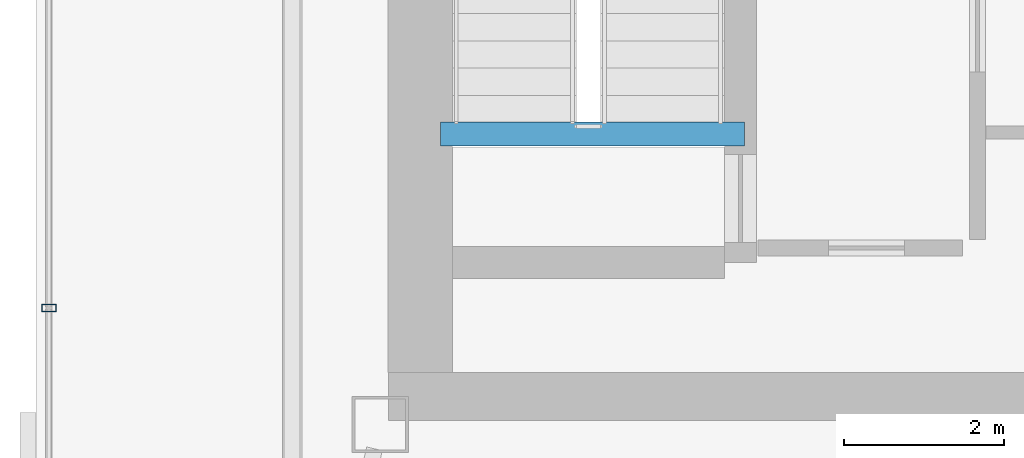
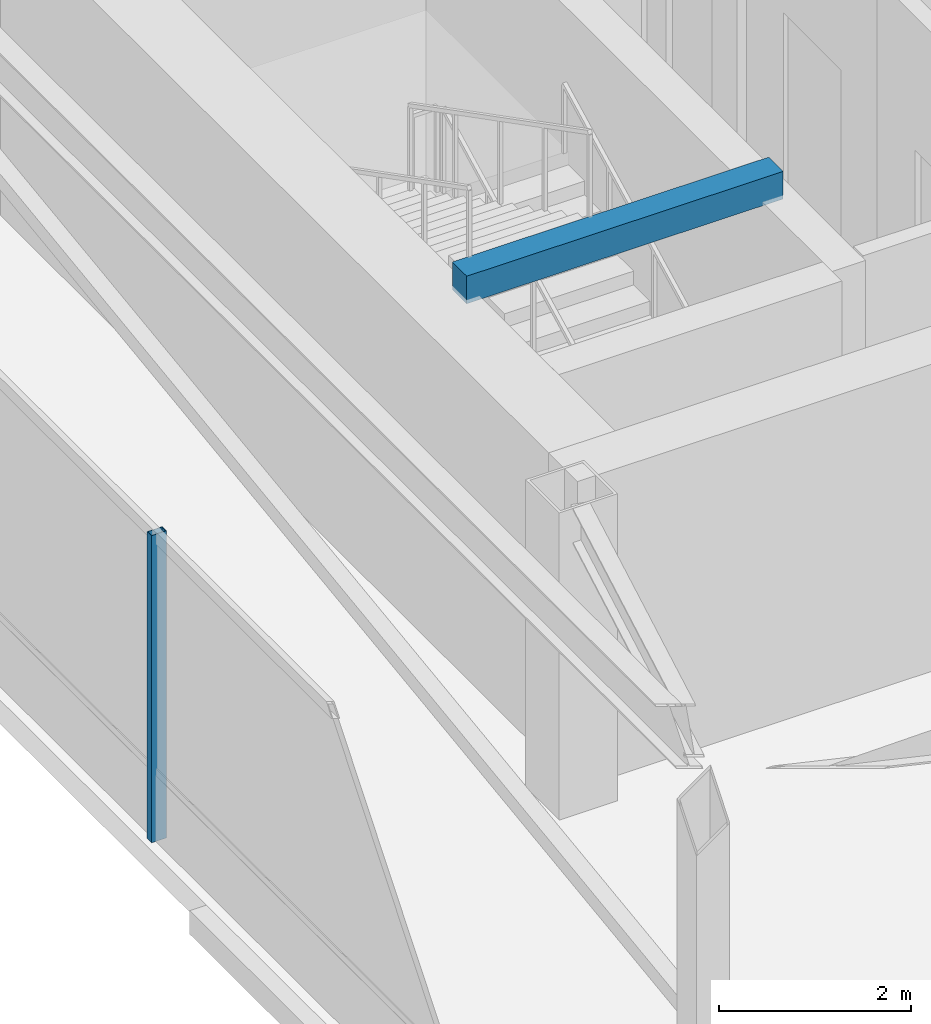
# One storey, part 3 of 21: 1 beam, 1 member, 1 element without a shape of its own.
"""IFC4 building model written with IfcOpenShell, lengths in metres."""

from ifc_helpers import new_model, si_unit, direction, frame, origin, origin_2d, place, context, subcontext, project, spatial, rectangle, hollow_rectangle, extrude, material, layer, layer_set, material_profile, profile_set, type_object, element, aggregate, save


model = new_model("IFC4")

# Units and contexts
model_context = context("Model", 3, precision=1e-05, world=origin(), true_north=direction((0.0, 1.0)))
body_context = subcontext(model_context, "Body", "Model", "MODEL_VIEW")
ifc_project = project(units=[si_unit("LENGTHUNIT", "METRE"), si_unit("AREAUNIT", "SQUARE_METRE"), si_unit("VOLUMEUNIT", "CUBIC_METRE"), si_unit("PLANEANGLEUNIT", "RADIAN"), si_unit("MASSUNIT", "GRAM", prefix="KILO")], contexts=[model_context])

# Site, building, storey
site_placement = place(None, origin())
site = spatial("IfcSite", under=ifc_project, at=site_placement, CompositionType="ELEMENT")
building_placement = place(site_placement, origin())
building = spatial("IfcBuilding", under=site, at=building_placement, Name="Tavrogorsk Clinical Tower", CompositionType="ELEMENT")
storey_placement = place(building_placement, frame((0.0, 0.0, 348.60009765625)))
storey = spatial("IfcBuildingStorey", under=building, at=storey_placement, Name="L81", CompositionType="ELEMENT", Elevation=348.60009765625)

# Curtain wall, member
ifc_material_1 = material(Name="Anodised aluminium and triple IGU glazing", Category="aluminium")
ifc_layer = layer(ifc_material_1, 0.179931640625)
ifc_layer_set = layer_set([ifc_layer], Name="Anodised aluminium and triple IGU glazing")
curtain_wall_type = type_object("IfcCurtainWallType", Name="CW5_SkyLobby", PredefinedType="NOTDEFINED", material=ifc_layer_set)
curtain_wall_placement = place(storey_placement, origin())
curtain_wall = element("IfcCurtainWall", 1, at=curtain_wall_placement, inside=storey, type_object=curtain_wall_type, Name="L81 Curtain Wall CW-L81-DRUM-2", PredefinedType="NOTDEFINED")
ifc_material_2 = material(Name="Anodised aluminium alloy AW-6060", Category="aluminium")
ifc_material_profile_1 = material_profile(ifc_material_2, hollow_rectangle(XDim=0.090087890625, YDim=0.179931640625, WallThickness=0.00634765625, at=origin_2d()), Name="RHS-180x90x6.3")
ifc_profile_set_1 = profile_set([ifc_material_profile_1], Name="Anodised aluminium alloy AW-6060")
member_type = type_object("IfcMemberType", Name="CwMullion_180x90", PredefinedType="MULLION", material=ifc_profile_set_1)
member_placement = place(storey_placement, frame((-26.239990234375, -4.891357421875, 0.0), z_axis=(0.0, 0.0, 1.0), x_axis=(0.0, 1.0, 0.0)))
member = element("IfcMember", 2, at=member_placement, type_object=member_type, Name="CW-L81-DRUM-2 Mullion 2", PredefinedType="MULLION", context=body_context, shape_type="SweptSolid", body=[
    extrude(hollow_rectangle(XDim=0.090087890625, YDim=0.179931640625, WallThickness=0.00634765625, at=origin_2d()), origin(), (0.0, 0.0, 1.0), 3.89990234375),
])
aggregate(curtain_wall, [member])

# Beam
ifc_material_3 = material(Name="Concrete B60", Category="concrete")
ifc_material_profile_2 = material_profile(ifc_material_3, rectangle(XDim=0.300048828125, YDim=0.35009765625, at=origin_2d()), Name="RC-SHB-300x350")
ifc_profile_set_2 = profile_set([ifc_material_profile_2], Name="Concrete B60")
beam_type = type_object("IfcBeamType", Name="StairHeaderBeam_RC300x350", PredefinedType="BEAM", material=ifc_profile_set_2)
beam_placement = place(storey_placement, frame((-21.35009765625, -2.719970703125, 4.02490234375), z_axis=(1.0, 0.0, 0.0), x_axis=(0.0, 1.0, 0.0)))
element("IfcBeam", 3, at=beam_placement, inside=storey, type_object=beam_type, Name="L82 ST-W Landing Header Beam", PredefinedType="BEAM", context=body_context, shape_type="SweptSolid", body=[
    extrude(rectangle(XDim=0.300048828125, YDim=0.35009765625, at=origin_2d()), origin(), (0.0, 0.0, 1.0), 3.800048828125),
])

save(model, "model.ifc")
